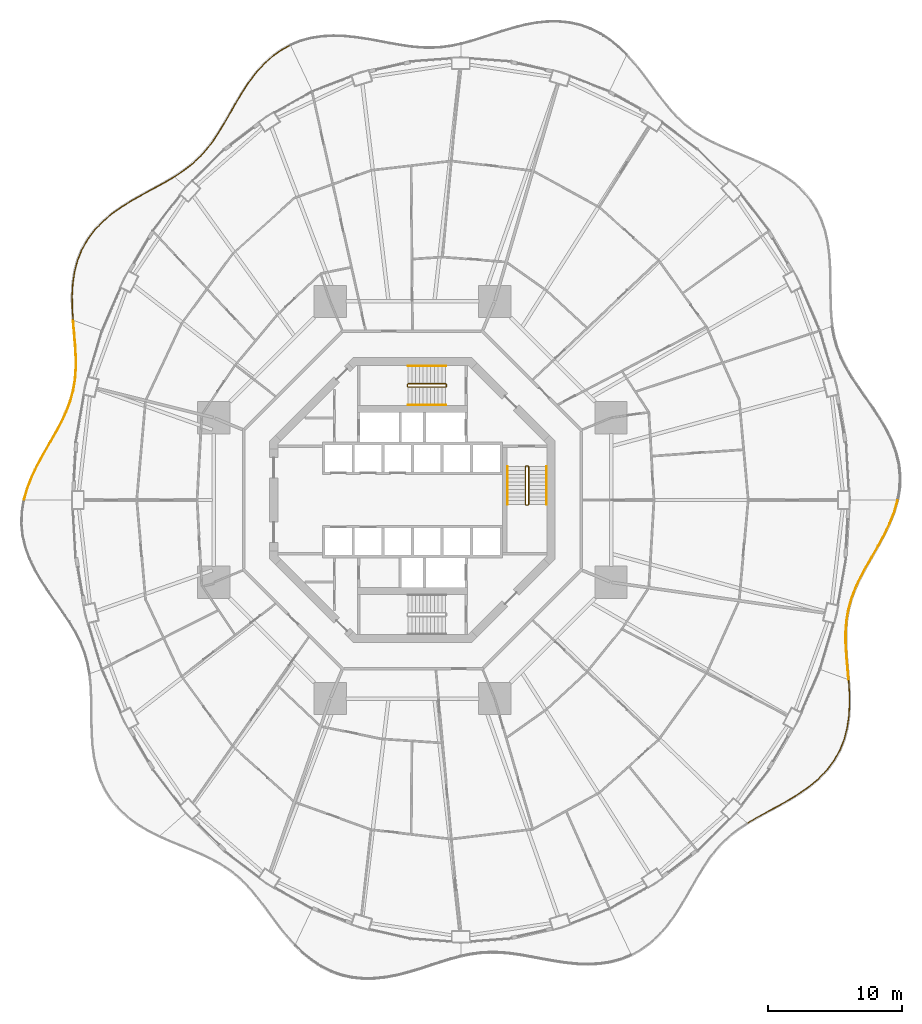
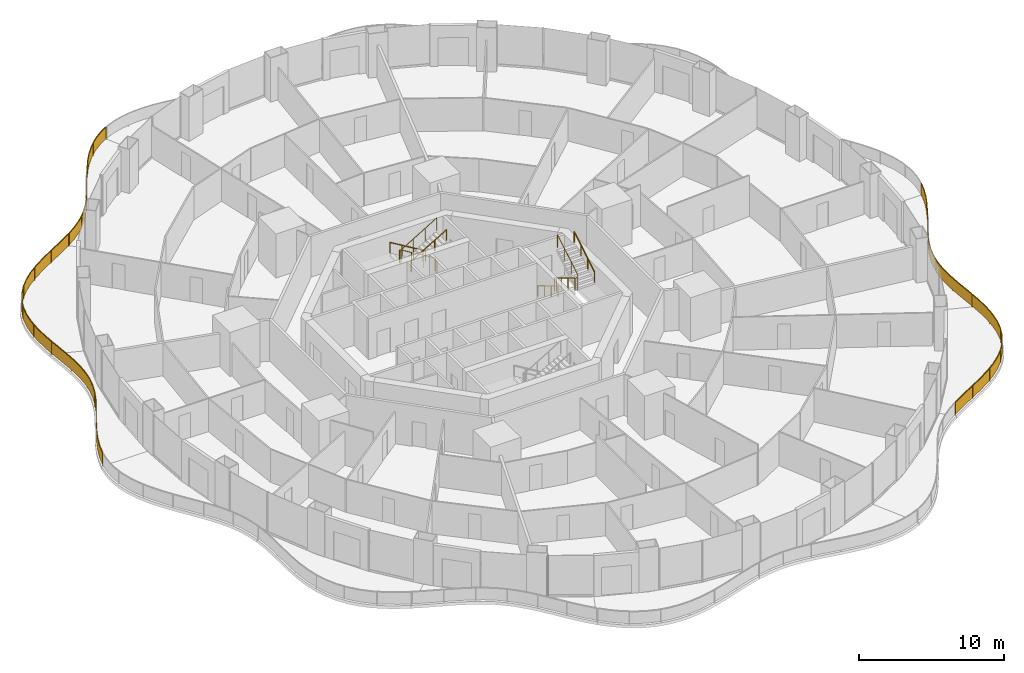
# One storey, part 21 of 22: 11 railings.
"""IFC4 building model written with IfcOpenShell, lengths in metres."""

from ifc_helpers import new_model, si_unit, direction, frame, origin, origin_2d, place, context, subcontext, project, spatial, polyline, rectangle, circle, outline, extrude, material, type_object, element, save


model = new_model("IFC4")

# Units and contexts
model_context = context("Model", 3, precision=1e-05, world=origin(), true_north=direction((0.0, 1.0)))
body_context = subcontext(model_context, "Body", "Model", "MODEL_VIEW")
ifc_project = project(units=[si_unit("LENGTHUNIT", "METRE"), si_unit("AREAUNIT", "SQUARE_METRE"), si_unit("VOLUMEUNIT", "CUBIC_METRE"), si_unit("PLANEANGLEUNIT", "RADIAN"), si_unit("MASSUNIT", "GRAM", prefix="KILO")], contexts=[model_context])

# Site, building, storey
site_placement = place(None, origin())
site = spatial("IfcSite", under=ifc_project, at=site_placement, CompositionType="ELEMENT")
building_placement = place(site_placement, origin())
building = spatial("IfcBuilding", under=site, at=building_placement, Name="Nagisa Residences", CompositionType="ELEMENT")
storey_placement = place(building_placement, frame((0.0, 0.0, 30.699951171875)))
storey = spatial("IfcBuildingStorey", under=building, at=storey_placement, Name="L06", CompositionType="ELEMENT", Elevation=30.699951171875)

# Railings
ifc_material_1 = material(Name="Stainless steel 316", Category="steel")
railing_type_1 = type_object("IfcRailingType", Name="BALCONY GUARD 1100", PredefinedType="BALUSTRADE", material=ifc_material_1)
railing_1_placement = place(storey_placement, frame((-9.121826171875, 33.8427734375, 0.0)))
element("IfcRailing", 1, at=railing_1_placement, inside=storey, type_object=railing_type_1, Name="guard:L06:bal05-0", PredefinedType="BALUSTRADE", context=body_context, shape_type="SweptSolid", body=[
    extrude(outline(polyline([(-0.686279296875, -0.4130859375), (0.01220703125, -0.021728515625), (-0.01220703125, 0.021728515625), (-0.713623046875, -0.37109375), (-1.404541015625, -0.880126953125), (-2.03955078125, -1.470703125), (-2.619384765625, -2.12939453125), (-3.1484375, -2.83935546875), (-3.61962890625, -3.572998046875), (-4.071533203125, -4.330322265625), (-4.50146484375, -5.08447265625), (-4.92333984375, -5.81982421875), (-5.35107421875, -6.522705078125), (-5.785888671875, -7.1728515625), (-6.263427734375, -7.785400390625), (-6.781494140625, -8.34765625), (-7.345947265625, -8.862060546875), (-7.9599609375, -9.33447265625), (-8.58642578125, -9.748291015625), (-8.55859375, -9.790283203125), (-7.9306640625, -9.375), (-7.313720703125, -8.900634765625), (-6.746337890625, -8.38330078125), (-6.225341796875, -7.817626953125), (-5.745361328125, -7.2021484375), (-5.30908203125, -6.549560546875), (-4.88037109375, -5.84521484375), (-4.4580078125, -5.109375), (-4.028076171875, -4.355712890625), (-3.5771484375, -3.599365234375), (-3.107421875, -2.86767578125), (-2.580322265625, -2.1611328125), (-2.00341796875, -1.505859375), (-1.372314453125, -0.918701171875), (-0.686279296875, -0.4130859375)])), frame((0.0, 0.0, 1.050048828125)), (0.0, 0.0, 1.0), 0.050048828125),
    extrude(outline(polyline([(-0.696044921875, -0.39794921875), (0.00341796875, -0.006103515625), (-0.00341796875, 0.006103515625), (-0.703857421875, -0.38623046875), (-1.392822265625, -0.89404296875), (-2.026611328125, -1.4833984375), (-2.605224609375, -2.140869140625), (-3.1337890625, -2.849609375), (-3.604248046875, -3.58251953125), (-4.055908203125, -4.339599609375), (-4.48583984375, -5.093505859375), (-4.907958984375, -5.828857421875), (-5.3359375, -6.532470703125), (-5.771240234375, -7.183349609375), (-6.249755859375, -7.796875), (-6.768798828125, -8.360595703125), (-7.334228515625, -8.8759765625), (-7.949462890625, -9.34912109375), (-8.576416015625, -9.763427734375), (-8.568603515625, -9.775146484375), (-7.941162109375, -9.3603515625), (-7.325439453125, -8.88671875), (-6.759033203125, -8.370361328125), (-6.239013671875, -7.80615234375), (-5.760009765625, -7.191650390625), (-5.32421875, -6.539794921875), (-4.895751953125, -5.836181640625), (-4.4736328125, -5.100341796875), (-4.043701171875, -4.346435546875), (-3.592529296875, -3.58984375), (-3.1220703125, -2.857421875), (-2.594482421875, -2.149658203125), (-2.016357421875, -1.4931640625), (-1.384033203125, -0.90478515625), (-0.696044921875, -0.39794921875)])), frame((0.0, 0.0, 0.06005859375)), (0.0, 0.0, 1.0), 0.989990234375),
    extrude(rectangle(XDim=0.0400390625, YDim=0.0400390625, at=origin_2d()), origin(), (0.0, 0.0, 1.0), 1.050048828125),
    extrude(rectangle(XDim=0.0400390625, YDim=0.0400390625, at=origin_2d()), frame((-1.78515625, -1.268310546875, 0.0)), (0.0, 0.0, 1.0), 1.050048828125),
    extrude(rectangle(XDim=0.0400390625, YDim=0.0400390625, at=origin_2d()), frame((-3.19140625, -2.95263671875, 0.0)), (0.0, 0.0, 1.0), 1.050048828125),
    extrude(rectangle(XDim=0.0400390625, YDim=0.0400390625, at=origin_2d()), frame((-4.32958984375, -4.833740234375, 0.0)), (0.0, 0.0, 1.0), 1.050048828125),
    extrude(rectangle(XDim=0.0400390625, YDim=0.0400390625, at=origin_2d()), frame((-5.454833984375, -6.72265625, 0.0)), (0.0, 0.0, 1.0), 1.050048828125),
    extrude(rectangle(XDim=0.0400390625, YDim=0.0400390625, at=origin_2d()), frame((-6.833984375, -8.429443359375, 0.0)), (0.0, 0.0, 1.0), 1.050048828125),
    extrude(rectangle(XDim=0.0400390625, YDim=0.0400390625, at=origin_2d()), frame((-8.572509765625, -9.769287109375, 0.0)), (0.0, 0.0, 1.0), 1.050048828125),
])
railing_2_placement = place(storey_placement, frame((-17.757080078125, 24.03662109375, 0.0)))
element("IfcRailing", 2, at=railing_2_placement, inside=storey, type_object=railing_type_1, Name="guard:L06:bal06-0", PredefinedType="BALUSTRADE", context=body_context, shape_type="SweptSolid", body=[
    extrude(outline(polyline([(-0.691650390625, -0.434814453125), (0.0126953125, -0.021484375), (-0.0126953125, 0.021484375), (-0.716552734375, -0.391357421875), (-1.49267578125, -0.8173828125), (-2.2900390625, -1.24853515625), (-3.090576171875, -1.7001953125), (-3.8740234375, -2.185302734375), (-4.612060546875, -2.703369140625), (-5.30126953125, -3.28759765625), (-5.916015625, -3.930419921875), (-6.442626953125, -4.63232421875), (-6.87109375, -5.3916015625), (-7.1904296875, -6.188720703125), (-7.416259765625, -7.041748046875), (-7.54833984375, -7.927001953125), (-7.599853515625, -8.833251953125), (-7.587158203125, -9.7490234375), (-7.531982421875, -10.618408203125), (-7.482177734375, -10.615478515625), (-7.537353515625, -9.7470703125), (-7.549560546875, -8.834228515625), (-7.49853515625, -7.931884765625), (-7.366943359375, -7.052001953125), (-7.14306640625, -6.204345703125), (-6.82568359375, -5.4130859375), (-6.400634765625, -4.65966796875), (-5.8779296875, -3.962646484375), (-5.26708984375, -3.32421875), (-4.581298828125, -2.742919921875), (-3.8466796875, -2.227294921875), (-3.065185546875, -1.7431640625), (-2.265625, -1.29248046875), (-1.46875, -0.861328125), (-0.691650390625, -0.434814453125)])), frame((0.0, 0.0, 1.050048828125)), (0.0, 0.0, 1.0), 0.050048828125),
    extrude(outline(polyline([(-0.70068359375, -0.419189453125), (0.003662109375, -0.006103515625), (-0.003662109375, 0.006103515625), (-0.70751953125, -0.406982421875), (-1.484130859375, -0.833251953125), (-2.28125, -1.264404296875), (-3.08154296875, -1.715576171875), (-3.8642578125, -2.200439453125), (-4.60107421875, -2.717529296875), (-5.2890625, -3.30078125), (-5.90234375, -3.94189453125), (-6.427490234375, -4.64208984375), (-6.854736328125, -5.3994140625), (-7.17333984375, -6.1943359375), (-7.3984375, -7.04541015625), (-7.530517578125, -7.9287109375), (-7.581787109375, -8.83349609375), (-7.5693359375, -9.748291015625), (-7.51416015625, -10.617431640625), (-7.5, -10.616455078125), (-7.55517578125, -9.747802734375), (-7.567626953125, -8.833984375), (-7.516357421875, -7.93017578125), (-7.384765625, -7.04833984375), (-7.16015625, -6.19873046875), (-6.842041015625, -5.4052734375), (-6.415771484375, -4.64990234375), (-5.8916015625, -3.951171875), (-5.279296875, -3.31103515625), (-4.59228515625, -2.728759765625), (-3.8564453125, -2.212158203125), (-3.07421875, -1.727783203125), (-2.2744140625, -1.276611328125), (-1.477294921875, -0.845458984375), (-0.70068359375, -0.419189453125)])), frame((0.0, 0.0, 0.06005859375)), (0.0, 0.0, 1.0), 0.989990234375),
    extrude(rectangle(XDim=0.0400390625, YDim=0.0400390625, at=origin_2d()), origin(), (0.0, 0.0, 1.0), 1.050048828125),
    extrude(rectangle(XDim=0.0400390625, YDim=0.0400390625, at=origin_2d()), frame((-2.064453125, -1.155029296875, 0.0)), (0.0, 0.0, 1.0), 1.050048828125),
    extrude(rectangle(XDim=0.0400390625, YDim=0.0400390625, at=origin_2d()), frame((-4.09326171875, -2.369873046875, 0.0)), (0.0, 0.0, 1.0), 1.050048828125),
    extrude(rectangle(XDim=0.0400390625, YDim=0.0400390625, at=origin_2d()), frame((-5.87158203125, -3.919921875, 0.0)), (0.0, 0.0, 1.0), 1.050048828125),
    extrude(rectangle(XDim=0.0400390625, YDim=0.0400390625, at=origin_2d()), frame((-7.066650390625, -5.946533203125, 0.0)), (0.0, 0.0, 1.0), 1.050048828125),
    extrude(rectangle(XDim=0.0400390625, YDim=0.0400390625, at=origin_2d()), frame((-7.541748046875, -8.253662109375, 0.0)), (0.0, 0.0, 1.0), 1.050048828125),
    extrude(rectangle(XDim=0.0400390625, YDim=0.0400390625, at=origin_2d()), frame((-7.507080078125, -10.616943359375, 0.0)), (0.0, 0.0, 1.0), 1.050048828125),
])
railing_3_placement = place(storey_placement, frame((-25.257080078125, 13.343505859375, 0.0)))
element("IfcRailing", 3, at=railing_3_placement, inside=storey, type_object=railing_type_1, Name="guard:L06:bal07-0", PredefinedType="BALUSTRADE", context=body_context, shape_type="SweptSolid", body=[
    extrude(outline(polyline([(0.1025390625, -0.88525390625), (0.02490234375, 0.002197265625), (-0.02490234375, -0.002197265625), (0.052734375, -0.8896484375), (0.12939453125, -1.802734375), (0.17919921875, -2.691162109375), (0.180908203125, -3.552490234375), (0.11865234375, -4.387451171875), (-0.016357421875, -5.185546875), (-0.23486328125, -5.979736328125), (-0.53125, -6.76318359375), (-0.8974609375, -7.543701171875), (-1.31787109375, -8.328125), (-1.770751953125, -9.109619140625), (-2.23583984375, -9.92041015625), (-2.684814453125, -10.74951171875), (-3.091796875, -11.597900390625), (-3.431884765625, -12.46435546875), (-3.671875, -13.299560546875), (-3.62353515625, -13.313232421875), (-3.384521484375, -12.48046875), (-3.0458984375, -11.617919921875), (-2.640380859375, -10.7724609375), (-2.19189453125, -9.94482421875), (-1.727294921875, -9.134521484375), (-1.27392578125, -8.3525390625), (-0.8525390625, -7.566162109375), (-0.4853515625, -6.78271484375), (-0.18701171875, -5.995361328125), (0.032470703125, -5.1962890625), (0.16845703125, -4.393310546875), (0.231201171875, -3.554443359375), (0.22900390625, -2.689697265625), (0.17919921875, -1.79931640625), (0.1025390625, -0.88525390625)])), frame((0.0, 0.0, 1.050048828125)), (0.0, 0.0, 1.0), 0.050048828125),
    extrude(outline(polyline([(0.084716796875, -0.886962890625), (0.007080078125, 0.00048828125), (-0.007080078125, -0.00048828125), (0.070556640625, -0.887939453125), (0.147216796875, -1.801513671875), (0.197021484375, -2.690673828125), (0.198974609375, -3.55322265625), (0.13671875, -4.3896484375), (0.001220703125, -5.189453125), (-0.217529296875, -5.9853515625), (-0.5146484375, -6.770263671875), (-0.88134765625, -7.5517578125), (-1.302001953125, -8.3369140625), (-1.755126953125, -9.11865234375), (-2.219970703125, -9.92919921875), (-2.6689453125, -10.7578125), (-3.0751953125, -11.605224609375), (-3.414794921875, -12.47021484375), (-3.654541015625, -13.304443359375), (-3.640869140625, -13.308349609375), (-3.401611328125, -12.474609375), (-3.0625, -11.610595703125), (-2.65625, -10.76416015625), (-2.207763671875, -9.93603515625), (-1.742919921875, -9.12548828125), (-1.289794921875, -8.34375), (-0.86865234375, -7.55810546875), (-0.501953125, -6.775634765625), (-0.204345703125, -5.98974609375), (0.014892578125, -5.1923828125), (0.150390625, -4.39111328125), (0.213134765625, -3.5537109375), (0.211181640625, -2.690185546875), (0.161376953125, -1.800537109375), (0.084716796875, -0.886962890625)])), frame((0.0, 0.0, 0.06005859375)), (0.0, 0.0, 1.0), 0.989990234375),
    extrude(rectangle(XDim=0.0400390625, YDim=0.0400390625, at=origin_2d()), origin(), (0.0, 0.0, 1.0), 1.050048828125),
    extrude(rectangle(XDim=0.0400390625, YDim=0.0400390625, at=origin_2d()), frame((0.18505859375, -2.350830078125, 0.0)), (0.0, 0.0, 1.0), 1.050048828125),
    extrude(rectangle(XDim=0.0400390625, YDim=0.0400390625, at=origin_2d()), frame((0.0908203125, -4.70166015625, 0.0)), (0.0, 0.0, 1.0), 1.050048828125),
    extrude(rectangle(XDim=0.0400390625, YDim=0.0400390625, at=origin_2d()), frame((-0.591552734375, -6.950439453125, 0.0)), (0.0, 0.0, 1.0), 1.050048828125),
    extrude(rectangle(XDim=0.0400390625, YDim=0.0400390625, at=origin_2d()), frame((-1.69677734375, -9.031982421875, 0.0)), (0.0, 0.0, 1.0), 1.050048828125),
    extrude(rectangle(XDim=0.0400390625, YDim=0.0400390625, at=origin_2d()), frame((-2.825927734375, -11.101318359375, 0.0)), (0.0, 0.0, 1.0), 1.050048828125),
    extrude(rectangle(XDim=0.0400390625, YDim=0.0400390625, at=origin_2d()), frame((-3.647705078125, -13.306396484375, 0.0)), (0.0, 0.0, 1.0), 1.050048828125),
])
railing_4_placement = place(storey_placement, frame((24.95703125, -24.03662109375, 0.0)))
element("IfcRailing", 4, at=railing_4_placement, inside=storey, type_object=railing_type_1, Name="guard:L06:bal14-0", PredefinedType="BALUSTRADE", context=body_context, shape_type="SweptSolid", body=[
    extrude(outline(polyline([(0.691650390625, 0.434814453125), (-0.0126953125, 0.021484375), (0.0126953125, -0.021484375), (0.716552734375, 0.391357421875), (1.49267578125, 0.8173828125), (2.290283203125, 1.24853515625), (3.090576171875, 1.7001953125), (3.8740234375, 2.185302734375), (4.612060546875, 2.703369140625), (5.30126953125, 3.28759765625), (5.916259765625, 3.930419921875), (6.442626953125, 4.63232421875), (6.87109375, 5.3916015625), (7.1904296875, 6.188720703125), (7.416259765625, 7.041748046875), (7.54833984375, 7.927001953125), (7.599853515625, 8.833251953125), (7.587158203125, 9.7490234375), (7.531982421875, 10.618408203125), (7.482177734375, 10.615478515625), (7.537353515625, 9.7470703125), (7.549560546875, 8.834228515625), (7.49853515625, 7.931884765625), (7.366943359375, 7.052001953125), (7.14306640625, 6.204345703125), (6.82568359375, 5.4130859375), (6.400634765625, 4.65966796875), (5.878173828125, 3.962646484375), (5.26708984375, 3.32421875), (4.581298828125, 2.742919921875), (3.8466796875, 2.227294921875), (3.065185546875, 1.7431640625), (2.265869140625, 1.29248046875), (1.46875, 0.861328125), (0.691650390625, 0.434814453125)])), frame((0.0, 0.0, 1.050048828125)), (0.0, 0.0, 1.0), 0.050048828125),
    extrude(outline(polyline([(0.70068359375, 0.419189453125), (-0.003662109375, 0.006103515625), (0.003662109375, -0.006103515625), (0.70751953125, 0.406982421875), (1.484130859375, 0.833251953125), (2.281494140625, 1.264404296875), (3.08154296875, 1.715576171875), (3.8642578125, 2.200439453125), (4.60107421875, 2.717529296875), (5.2890625, 3.30078125), (5.902587890625, 3.94189453125), (6.427490234375, 4.64208984375), (6.854736328125, 5.3994140625), (7.17333984375, 6.1943359375), (7.3984375, 7.04541015625), (7.530517578125, 7.9287109375), (7.581787109375, 8.83349609375), (7.5693359375, 9.748291015625), (7.51416015625, 10.617431640625), (7.5, 10.616455078125), (7.55517578125, 9.747802734375), (7.567626953125, 8.833984375), (7.516357421875, 7.93017578125), (7.384765625, 7.04833984375), (7.16015625, 6.19873046875), (6.842041015625, 5.4052734375), (6.415771484375, 4.64990234375), (5.891845703125, 3.951171875), (5.279296875, 3.31103515625), (4.59228515625, 2.728759765625), (3.8564453125, 2.212158203125), (3.07421875, 1.727783203125), (2.274658203125, 1.276611328125), (1.477294921875, 0.845458984375), (0.70068359375, 0.419189453125)])), frame((0.0, 0.0, 0.06005859375)), (0.0, 0.0, 1.0), 0.989990234375),
    extrude(rectangle(XDim=0.0400390625, YDim=0.0400390625, at=origin_2d()), origin(), (0.0, 0.0, 1.0), 1.050048828125),
    extrude(rectangle(XDim=0.0400390625, YDim=0.0400390625, at=origin_2d()), frame((2.064453125, 1.155029296875, 0.0)), (0.0, 0.0, 1.0), 1.050048828125),
    extrude(rectangle(XDim=0.0400390625, YDim=0.0400390625, at=origin_2d()), frame((4.09326171875, 2.369873046875, 0.0)), (0.0, 0.0, 1.0), 1.050048828125),
    extrude(rectangle(XDim=0.0400390625, YDim=0.0400390625, at=origin_2d()), frame((5.87158203125, 3.919921875, 0.0)), (0.0, 0.0, 1.0), 1.050048828125),
    extrude(rectangle(XDim=0.0400390625, YDim=0.0400390625, at=origin_2d()), frame((7.066650390625, 5.946533203125, 0.0)), (0.0, 0.0, 1.0), 1.050048828125),
    extrude(rectangle(XDim=0.0400390625, YDim=0.0400390625, at=origin_2d()), frame((7.541748046875, 8.253662109375, 0.0)), (0.0, 0.0, 1.0), 1.050048828125),
    extrude(rectangle(XDim=0.0400390625, YDim=0.0400390625, at=origin_2d()), frame((7.507080078125, 10.616943359375, 0.0)), (0.0, 0.0, 1.0), 1.050048828125),
])
railing_5_placement = place(storey_placement, frame((32.45703125, -13.343505859375, 0.0)))
element("IfcRailing", 5, at=railing_5_placement, inside=storey, type_object=railing_type_1, Name="guard:L06:bal15-0", PredefinedType="BALUSTRADE", context=body_context, shape_type="SweptSolid", body=[
    extrude(outline(polyline([(-0.1025390625, 0.88525390625), (-0.02490234375, -0.002197265625), (0.02490234375, 0.002197265625), (-0.052734375, 0.8896484375), (-0.12939453125, 1.802734375), (-0.17919921875, 2.691162109375), (-0.180908203125, 3.552490234375), (-0.118408203125, 4.387451171875), (0.016357421875, 5.185546875), (0.23486328125, 5.979736328125), (0.53125, 6.76318359375), (0.8974609375, 7.543701171875), (1.31787109375, 8.328125), (1.770751953125, 9.109619140625), (2.23583984375, 9.92041015625), (2.684814453125, 10.74951171875), (3.092041015625, 11.597900390625), (3.431884765625, 12.46435546875), (3.671875, 13.299560546875), (3.62353515625, 13.313232421875), (3.384521484375, 12.48046875), (3.046142578125, 11.617919921875), (2.640380859375, 10.7724609375), (2.19189453125, 9.94482421875), (1.727294921875, 9.134521484375), (1.27392578125, 8.3525390625), (0.8525390625, 7.566162109375), (0.4853515625, 6.78271484375), (0.18701171875, 5.995361328125), (-0.032470703125, 5.1962890625), (-0.168212890625, 4.393310546875), (-0.231201171875, 3.554443359375), (-0.22900390625, 2.689697265625), (-0.17919921875, 1.79931640625), (-0.1025390625, 0.88525390625)])), frame((0.0, 0.0, 1.050048828125)), (0.0, 0.0, 1.0), 0.050048828125),
    extrude(outline(polyline([(-0.084716796875, 0.886962890625), (-0.007080078125, -0.00048828125), (0.007080078125, 0.00048828125), (-0.070556640625, 0.887939453125), (-0.147216796875, 1.801513671875), (-0.197021484375, 2.690673828125), (-0.198974609375, 3.55322265625), (-0.136474609375, 4.3896484375), (-0.001220703125, 5.189453125), (0.217529296875, 5.9853515625), (0.5146484375, 6.770263671875), (0.88134765625, 7.5517578125), (1.302001953125, 8.3369140625), (1.755126953125, 9.11865234375), (2.219970703125, 9.92919921875), (2.6689453125, 10.7578125), (3.075439453125, 11.605224609375), (3.414794921875, 12.47021484375), (3.654541015625, 13.304443359375), (3.640869140625, 13.308349609375), (3.401611328125, 12.474609375), (3.062744140625, 11.610595703125), (2.65625, 10.76416015625), (2.207763671875, 9.93603515625), (1.742919921875, 9.12548828125), (1.289794921875, 8.34375), (0.86865234375, 7.55810546875), (0.501953125, 6.775634765625), (0.204345703125, 5.98974609375), (-0.014892578125, 5.1923828125), (-0.150146484375, 4.39111328125), (-0.213134765625, 3.5537109375), (-0.211181640625, 2.690185546875), (-0.161376953125, 1.800537109375), (-0.084716796875, 0.886962890625)])), frame((0.0, 0.0, 0.06005859375)), (0.0, 0.0, 1.0), 0.989990234375),
    extrude(rectangle(XDim=0.0400390625, YDim=0.0400390625, at=origin_2d()), origin(), (0.0, 0.0, 1.0), 1.050048828125),
    extrude(rectangle(XDim=0.0400390625, YDim=0.0400390625, at=origin_2d()), frame((-0.18505859375, 2.350830078125, 0.0)), (0.0, 0.0, 1.0), 1.050048828125),
    extrude(rectangle(XDim=0.0400390625, YDim=0.0400390625, at=origin_2d()), frame((-0.0908203125, 4.70166015625, 0.0)), (0.0, 0.0, 1.0), 1.050048828125),
    extrude(rectangle(XDim=0.0400390625, YDim=0.0400390625, at=origin_2d()), frame((0.591552734375, 6.950439453125, 0.0)), (0.0, 0.0, 1.0), 1.050048828125),
    extrude(rectangle(XDim=0.0400390625, YDim=0.0400390625, at=origin_2d()), frame((1.69677734375, 9.031982421875, 0.0)), (0.0, 0.0, 1.0), 1.050048828125),
    extrude(rectangle(XDim=0.0400390625, YDim=0.0400390625, at=origin_2d()), frame((2.825927734375, 11.101318359375, 0.0)), (0.0, 0.0, 1.0), 1.050048828125),
    extrude(rectangle(XDim=0.0400390625, YDim=0.0400390625, at=origin_2d()), frame((3.647705078125, 13.306396484375, 0.0)), (0.0, 0.0, 1.0), 1.050048828125),
])
ifc_material_2 = material(Name="Stainless steel", Category="steel")
railing_type_2 = type_object("IfcRailingType", Name="Stair guard 1100", PredefinedType="GUARDRAIL", material=ifc_material_2)
railing_6_placement = place(storey_placement, frame((8.599609375, 2.52490234375, 0.0)))
element("IfcRailing", 6, at=railing_6_placement, inside=storey, type_object=railing_type_2, Name="L06 ST-E stair guard 1", PredefinedType="GUARDRAIL", context=body_context, shape_type="SweptSolid", body=[
    extrude(circle(Radius=0.02392578125, at=origin_2d()), frame((0.0, 0.0, 1.076171875), z_axis=(-1.0, 0.0, 0.0), x_axis=(0.0, -1.0, 0.0)), (0.0, 0.0, 1.0), 0.14990234375),
    extrude(circle(Radius=0.02392578125, at=origin_2d()), frame((-0.14990234375, 0.0, 1.076171875), z_axis=(-0.27434429532, -0.273006030465, 0.922064485248), x_axis=(0.705375805398, -0.708833529934, 0.0)), (0.0, 0.0, 1.0), 0.182373046875),
    extrude(circle(Radius=0.02392578125, at=origin_2d()), frame((-0.199951171875, -0.0498046875, 1.244140625), z_axis=(0.0, -0.857242210791, 0.514913383045), x_axis=(1.0, 0.0, 0.0)), (0.0, 0.0, 1.0), 3.266357421875),
    extrude(circle(Radius=0.02392578125, at=origin_2d()), frame((-0.199951171875, -2.849853515625, 2.92626953125), z_axis=(0.707106781187, -0.707106781187, 0.0), x_axis=(0.707106781187, 0.707106781187, 0.0)), (0.0, 0.0, 1.0), 0.07080078125),
    extrude(circle(Radius=0.02392578125, at=origin_2d()), frame((-0.14990234375, -2.89990234375, 2.92626953125), z_axis=(1.0, 0.0, 0.0), x_axis=(0.0, 1.0, 0.0)), (0.0, 0.0, 1.0), 0.14990234375),
    extrude(circle(Radius=0.02392578125, at=origin_2d()), frame((0.0, -2.89990234375, 2.92626953125), z_axis=(0.274243871929, 0.274243871929, 0.92172696468), x_axis=(-0.707106781187, 0.707106781187, 0.0)), (0.0, 0.0, 1.0), 0.1826171875),
    extrude(circle(Radius=0.02392578125, at=origin_2d()), frame((0.050048828125, -2.849853515625, 3.09423828125), z_axis=(0.0, 0.857275202839, 0.514858452973), x_axis=(-1.0, 0.0, 0.0)), (0.0, 0.0, 1.0), 3.26611328125),
    extrude(circle(Radius=0.02099609375, at=origin_2d()), origin(), (0.0, 0.0, 1.0), 1.052001953125),
    extrude(circle(Radius=0.02099609375, at=origin_2d()), frame((-0.14990234375, 0.0, 0.0)), (0.0, 0.0, 1.0), 1.052001953125),
    extrude(circle(Radius=0.02099609375, at=origin_2d()), frame((-0.199951171875, -0.0498046875, 0.168212890625)), (0.0, 0.0, 1.0), 1.052001953125),
    extrude(circle(Radius=0.02099609375, at=origin_2d()), frame((-0.199951171875, -0.983154296875, 0.728759765625)), (0.0, 0.0, 1.0), 1.052001953125),
    extrude(circle(Radius=0.02099609375, at=origin_2d()), frame((-0.199951171875, -1.91650390625, 1.28955078125)), (0.0, 0.0, 1.0), 1.052001953125),
    extrude(circle(Radius=0.02099609375, at=origin_2d()), frame((-0.199951171875, -2.849853515625, 1.85009765625)), (0.0, 0.0, 1.0), 1.052001953125),
    extrude(circle(Radius=0.02099609375, at=origin_2d()), frame((-0.14990234375, -2.89990234375, 1.85009765625)), (0.0, 0.0, 1.0), 1.052001953125),
    extrude(circle(Radius=0.02099609375, at=origin_2d()), frame((0.0, -2.89990234375, 1.85009765625)), (0.0, 0.0, 1.0), 1.052001953125),
    extrude(circle(Radius=0.02099609375, at=origin_2d()), frame((0.050048828125, -2.849853515625, 2.018310546875)), (0.0, 0.0, 1.0), 1.052001953125),
    extrude(circle(Radius=0.02099609375, at=origin_2d()), frame((0.050048828125, -1.91650390625, 2.578857421875)), (0.0, 0.0, 1.0), 1.052001953125),
    extrude(circle(Radius=0.02099609375, at=origin_2d()), frame((0.050048828125, -0.983154296875, 3.139404296875)), (0.0, 0.0, 1.0), 1.052001953125),
    extrude(circle(Radius=0.02099609375, at=origin_2d()), frame((0.050048828125, -0.0498046875, 3.699951171875)), (0.0, 0.0, 1.0), 1.052001953125),
])
railing_7_placement = place(storey_placement, frame((2.52490234375, 8.44970703125, 0.0)))
element("IfcRailing", 7, at=railing_7_placement, inside=storey, type_object=railing_type_2, Name="L06 ST-N stair guard 1", PredefinedType="GUARDRAIL", context=body_context, shape_type="SweptSolid", body=[
    extrude(circle(Radius=0.02392578125, at=origin_2d()), frame((0.0, 0.0, 1.076171875), z_axis=(0.0, 1.0, 0.0), x_axis=(-1.0, 0.0, 0.0)), (0.0, 0.0, 1.0), 0.14990234375),
    extrude(circle(Radius=0.02392578125, at=origin_2d()), frame((0.0, 0.14990234375, 1.076171875), z_axis=(-0.273006030465, 0.27434429532, 0.922064485248), x_axis=(-0.708833529934, -0.705375805398, 0.0)), (0.0, 0.0, 1.0), 0.182373046875),
    extrude(circle(Radius=0.02392578125, at=origin_2d()), frame((-0.0498046875, 0.199951171875, 1.244140625), z_axis=(-0.857242210791, 0.0, 0.514913383045), x_axis=(0.0, -1.0, 0.0)), (0.0, 0.0, 1.0), 3.266357421875),
    extrude(circle(Radius=0.02392578125, at=origin_2d()), frame((-2.849853515625, 0.199951171875, 2.92626953125), z_axis=(-0.707106781187, -0.707106781187, 0.0), x_axis=(0.707106781187, -0.707106781187, 0.0)), (0.0, 0.0, 1.0), 0.07080078125),
    extrude(circle(Radius=0.02392578125, at=origin_2d()), frame((-2.89990234375, 0.14990234375, 2.92626953125), z_axis=(0.0, -1.0, 0.0), x_axis=(1.0, 0.0, 0.0)), (0.0, 0.0, 1.0), 0.14990234375),
    extrude(circle(Radius=0.02392578125, at=origin_2d()), frame((-2.89990234375, 0.0, 2.92626953125), z_axis=(0.274243871929, -0.274243871929, 0.92172696468), x_axis=(0.707106781187, 0.707106781187, 0.0)), (0.0, 0.0, 1.0), 0.1826171875),
    extrude(circle(Radius=0.02392578125, at=origin_2d()), frame((-2.849853515625, -0.050048828125, 3.09423828125), z_axis=(0.857275202839, 0.0, 0.514858452973), x_axis=(0.0, 1.0, 0.0)), (0.0, 0.0, 1.0), 3.26611328125),
    extrude(circle(Radius=0.02099609375, at=origin_2d()), origin(), (0.0, 0.0, 1.0), 1.052001953125),
    extrude(circle(Radius=0.02099609375, at=origin_2d()), frame((0.0, 0.14990234375, 0.0)), (0.0, 0.0, 1.0), 1.052001953125),
    extrude(circle(Radius=0.02099609375, at=origin_2d()), frame((-0.0498046875, 0.199951171875, 0.168212890625)), (0.0, 0.0, 1.0), 1.052001953125),
    extrude(circle(Radius=0.02099609375, at=origin_2d()), frame((-0.983154296875, 0.199951171875, 0.728759765625)), (0.0, 0.0, 1.0), 1.052001953125),
    extrude(circle(Radius=0.02099609375, at=origin_2d()), frame((-1.91650390625, 0.199951171875, 1.28955078125)), (0.0, 0.0, 1.0), 1.052001953125),
    extrude(circle(Radius=0.02099609375, at=origin_2d()), frame((-2.849853515625, 0.199951171875, 1.85009765625)), (0.0, 0.0, 1.0), 1.052001953125),
    extrude(circle(Radius=0.02099609375, at=origin_2d()), frame((-2.89990234375, 0.14990234375, 1.85009765625)), (0.0, 0.0, 1.0), 1.052001953125),
    extrude(circle(Radius=0.02099609375, at=origin_2d()), frame((-2.89990234375, 0.0, 1.85009765625)), (0.0, 0.0, 1.0), 1.052001953125),
    extrude(circle(Radius=0.02099609375, at=origin_2d()), frame((-2.849853515625, -0.050048828125, 2.018310546875)), (0.0, 0.0, 1.0), 1.052001953125),
    extrude(circle(Radius=0.02099609375, at=origin_2d()), frame((-1.91650390625, -0.050048828125, 2.578857421875)), (0.0, 0.0, 1.0), 1.052001953125),
    extrude(circle(Radius=0.02099609375, at=origin_2d()), frame((-0.983154296875, -0.050048828125, 3.139404296875)), (0.0, 0.0, 1.0), 1.052001953125),
    extrude(circle(Radius=0.02099609375, at=origin_2d()), frame((-0.0498046875, -0.050048828125, 3.699951171875)), (0.0, 0.0, 1.0), 1.052001953125),
])
ifc_material_3 = material(Name="Stainless steel", Category="steel")
railing_type_3 = type_object("IfcRailingType", Name="Stair handrail 900", PredefinedType="HANDRAIL", material=ifc_material_3)
railing_8_placement = place(storey_placement, frame((7.07470703125, 2.47509765625, 0.168212890625)))
element("IfcRailing", 8, at=railing_8_placement, inside=storey, type_object=railing_type_3, Name="L06 ST-E stair handrail 1", PredefinedType="HANDRAIL", context=body_context, shape_type="SweptSolid", body=[
    extrude(circle(Radius=0.02392578125, at=origin_2d()), frame((0.0, 0.0, 0.8759765625), z_axis=(0.0, -0.857242210791, 0.514913383045), x_axis=(1.0, 0.0, 0.0)), (0.0, 0.0, 1.0), 3.266357421875),
    extrude(circle(Radius=0.02099609375, at=origin_2d()), origin(), (0.0, 0.0, 1.0), 0.851806640625),
    extrude(circle(Radius=0.02099609375, at=origin_2d()), frame((0.0, -0.933349609375, 0.560546875)), (0.0, 0.0, 1.0), 0.851806640625),
    extrude(circle(Radius=0.02099609375, at=origin_2d()), frame((0.0, -1.86669921875, 1.121337890625)), (0.0, 0.0, 1.0), 0.851806640625),
    extrude(circle(Radius=0.02099609375, at=origin_2d()), frame((0.0, -2.800048828125, 1.681884765625)), (0.0, 0.0, 1.0), 0.851806640625),
])
railing_9_placement = place(storey_placement, frame((9.974609375, -0.324951171875, 2.018310546875)))
element("IfcRailing", 9, at=railing_9_placement, inside=storey, type_object=railing_type_3, Name="L06 ST-E stair handrail 2", PredefinedType="HANDRAIL", context=body_context, shape_type="SweptSolid", body=[
    extrude(circle(Radius=0.02392578125, at=origin_2d()), frame((0.0, 0.0, 0.8759765625), z_axis=(0.0, 0.857275202839, 0.514858452973), x_axis=(-1.0, 0.0, 0.0)), (0.0, 0.0, 1.0), 3.26611328125),
    extrude(circle(Radius=0.02099609375, at=origin_2d()), origin(), (0.0, 0.0, 1.0), 0.851806640625),
    extrude(circle(Radius=0.02099609375, at=origin_2d()), frame((0.0, 0.933349609375, 0.560546875)), (0.0, 0.0, 1.0), 0.851806640625),
    extrude(circle(Radius=0.02099609375, at=origin_2d()), frame((0.0, 1.86669921875, 1.12109375)), (0.0, 0.0, 1.0), 0.851806640625),
    extrude(circle(Radius=0.02099609375, at=origin_2d()), frame((0.0, 2.800048828125, 1.681640625)), (0.0, 0.0, 1.0), 0.851806640625),
])
railing_10_placement = place(storey_placement, frame((2.47509765625, 9.974609375, 0.168212890625)))
element("IfcRailing", 10, at=railing_10_placement, inside=storey, type_object=railing_type_3, Name="L06 ST-N stair handrail 1", PredefinedType="HANDRAIL", context=body_context, shape_type="SweptSolid", body=[
    extrude(circle(Radius=0.02392578125, at=origin_2d()), frame((0.0, 0.0, 0.8759765625), z_axis=(-0.857242210791, 0.0, 0.514913383045), x_axis=(0.0, -1.0, 0.0)), (0.0, 0.0, 1.0), 3.266357421875),
    extrude(circle(Radius=0.02099609375, at=origin_2d()), origin(), (0.0, 0.0, 1.0), 0.851806640625),
    extrude(circle(Radius=0.02099609375, at=origin_2d()), frame((-0.933349609375, 0.0, 0.560546875)), (0.0, 0.0, 1.0), 0.851806640625),
    extrude(circle(Radius=0.02099609375, at=origin_2d()), frame((-1.86669921875, 0.0, 1.121337890625)), (0.0, 0.0, 1.0), 0.851806640625),
    extrude(circle(Radius=0.02099609375, at=origin_2d()), frame((-2.800048828125, 0.0, 1.681884765625)), (0.0, 0.0, 1.0), 0.851806640625),
])
railing_11_placement = place(storey_placement, frame((-0.324951171875, 7.07470703125, 2.018310546875)))
element("IfcRailing", 11, at=railing_11_placement, inside=storey, type_object=railing_type_3, Name="L06 ST-N stair handrail 2", PredefinedType="HANDRAIL", context=body_context, shape_type="SweptSolid", body=[
    extrude(circle(Radius=0.02392578125, at=origin_2d()), frame((0.0, 0.0, 0.8759765625), z_axis=(0.857275202839, 0.0, 0.514858452973), x_axis=(0.0, 1.0, 0.0)), (0.0, 0.0, 1.0), 3.26611328125),
    extrude(circle(Radius=0.02099609375, at=origin_2d()), origin(), (0.0, 0.0, 1.0), 0.851806640625),
    extrude(circle(Radius=0.02099609375, at=origin_2d()), frame((0.933349609375, 0.0, 0.560546875)), (0.0, 0.0, 1.0), 0.851806640625),
    extrude(circle(Radius=0.02099609375, at=origin_2d()), frame((1.86669921875, 0.0, 1.12109375)), (0.0, 0.0, 1.0), 0.851806640625),
    extrude(circle(Radius=0.02099609375, at=origin_2d()), frame((2.800048828125, 0.0, 1.681640625)), (0.0, 0.0, 1.0), 0.851806640625),
])

save(model, "model.ifc")
